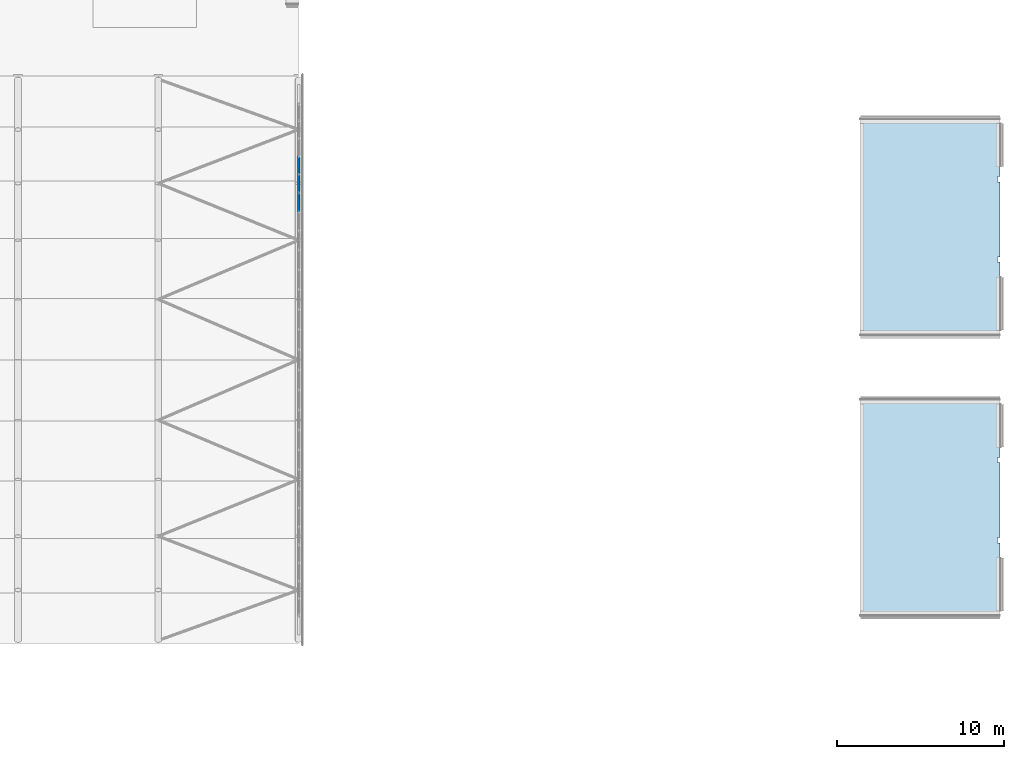
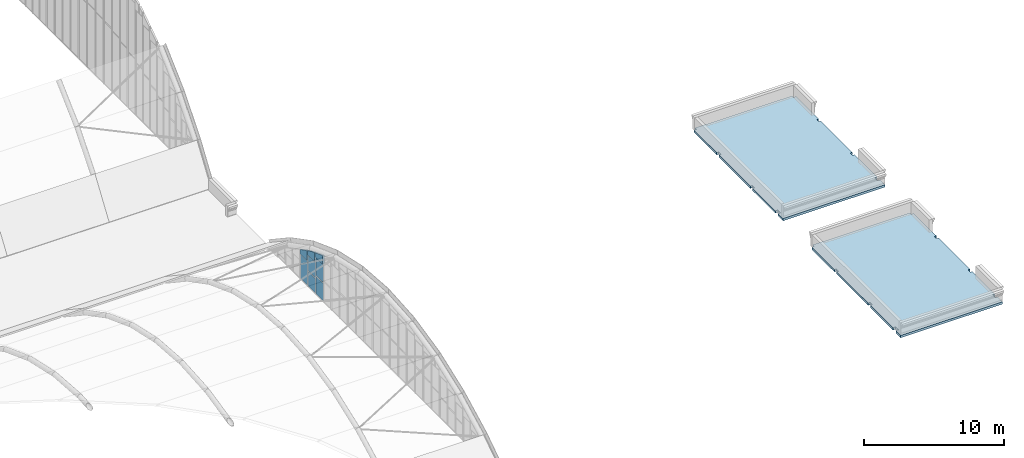
# One storey, part 53 of 77: 8 plates, 2 slabs, 1 element without a shape of its own.
"""IFC4 building model written with IfcOpenShell, lengths in metres."""

from ifc_helpers import new_model, si_unit, direction, frame, origin, origin_2d, place, context, subcontext, project, spatial, polyline, rectangle, outline, extrude, material, layer, layer_set, type_object, element, aggregate, save


model = new_model("IFC4")

# Units and contexts
model_context = context("Model", 3, precision=1e-05, world=origin(), true_north=direction((0.0, 1.0)))
body_context = subcontext(model_context, "Body", "Model", "MODEL_VIEW")
ifc_project = project(units=[si_unit("LENGTHUNIT", "METRE"), si_unit("AREAUNIT", "SQUARE_METRE"), si_unit("VOLUMEUNIT", "CUBIC_METRE"), si_unit("PLANEANGLEUNIT", "RADIAN"), si_unit("MASSUNIT", "GRAM", prefix="KILO")], contexts=[model_context])

# Site, building, storey
site_placement = place(None, origin())
site = spatial("IfcSite", under=ifc_project, at=site_placement, CompositionType="ELEMENT")
building_placement = place(site_placement, origin())
building = spatial("IfcBuilding", under=site, at=building_placement, Name="Catenary Quay Ferry Terminal", CompositionType="ELEMENT")
storey_placement = place(building_placement, frame((0.0, 0.0, 10.800048828125)))
storey = spatial("IfcBuildingStorey", under=building, at=storey_placement, Name="L02", CompositionType="ELEMENT", Elevation=10.800048828125)

# Slabs
ifc_material_1 = material(Name="Concrete C35/45", Category="concrete")
ifc_layer_1 = layer(ifc_material_1, 0.199951171875)
ifc_layer_set_1 = layer_set([ifc_layer_1], Name="Composite roof slab 200")
slab_type = type_object("IfcSlabType", Name="Composite roof slab 200", PredefinedType="ROOF", material=ifc_layer_set_1)
slab_1_placement = place(storey_placement, frame((0.0, 0.0, -0.199951171875)))
element("IfcSlab", 1, at=slab_1_placement, inside=storey, type_object=slab_type, Name="Berth head house roof slab BH1", PredefinedType="ROOF", context=body_context, shape_type="SweptSolid", body=[
    extrude(outline(polyline([(134.39990234375, 68.699951171875), (126.0, 68.699951171875), (126.0, 69.39501953125), (126.205078125, 69.39501953125), (126.205078125, 69.804931640625), (126.0, 69.804931640625), (126.0, 73.0400390625), (126.159912109375, 73.0400390625), (126.159912109375, 73.360107421875), (126.0, 73.360107421875), (126.0, 77.840087890625), (126.159912109375, 77.840087890625), (126.159912109375, 78.159912109375), (126.0, 78.159912109375), (126.0, 81.39501953125), (126.205078125, 81.39501953125), (126.205078125, 81.60009765625), (134.195068359375, 81.60009765625), (134.195068359375, 81.39501953125), (134.39990234375, 81.39501953125), (134.39990234375, 78.159912109375), (134.239990234375, 78.159912109375), (134.239990234375, 77.840087890625), (134.39990234375, 77.840087890625), (134.39990234375, 73.360107421875), (134.239990234375, 73.360107421875), (134.239990234375, 73.0400390625), (134.39990234375, 73.0400390625), (134.39990234375, 69.804931640625), (134.195068359375, 69.804931640625), (134.195068359375, 69.39501953125), (134.39990234375, 69.39501953125), (134.39990234375, 68.699951171875)])), origin(), (0.0, 0.0, 1.0), 0.199951171875),
])
slab_2_placement = place(storey_placement, frame((0.0, 0.0, -0.199951171875)))
element("IfcSlab", 2, at=slab_2_placement, inside=storey, type_object=slab_type, Name="Berth head house roof slab BH2", PredefinedType="ROOF", context=body_context, shape_type="SweptSolid", body=[
    extrude(outline(polyline([(134.39990234375, 85.5), (126.0, 85.5), (126.0, 86.195068359375), (126.205078125, 86.195068359375), (126.205078125, 86.60498046875), (126.0, 86.60498046875), (126.0, 89.840087890625), (126.159912109375, 89.840087890625), (126.159912109375, 90.159912109375), (126.0, 90.159912109375), (126.0, 94.639892578125), (126.159912109375, 94.639892578125), (126.159912109375, 94.9599609375), (126.0, 94.9599609375), (126.0, 98.195068359375), (126.205078125, 98.195068359375), (126.205078125, 98.39990234375), (134.195068359375, 98.39990234375), (134.195068359375, 98.195068359375), (134.39990234375, 98.195068359375), (134.39990234375, 94.9599609375), (134.239990234375, 94.9599609375), (134.239990234375, 94.639892578125), (134.39990234375, 94.639892578125), (134.39990234375, 90.159912109375), (134.239990234375, 90.159912109375), (134.239990234375, 89.840087890625), (134.39990234375, 89.840087890625), (134.39990234375, 86.60498046875), (134.195068359375, 86.60498046875), (134.195068359375, 86.195068359375), (134.39990234375, 86.195068359375), (134.39990234375, 85.5)])), origin(), (0.0, 0.0, 1.0), 0.199951171875),
])

# Curtain wall, plates
ifc_material_2 = material(Name="Aluminium and glass", Category="aluminium")
curtain_wall_type = type_object("IfcCurtainWallType", Name="CWA", PredefinedType="NOTDEFINED", material=ifc_material_2)
curtain_wall_placement = place(storey_placement, origin())
curtain_wall = element("IfcCurtainWall", 3, at=curtain_wall_placement, inside=storey, type_object=curtain_wall_type, Name="Arch arrivals hall curtain wall CW12", PredefinedType="NOTDEFINED")
ifc_material_3 = material(Name="Glass", Category="glass")
ifc_layer_2 = layer(ifc_material_3, 0.035888671875)
ifc_layer_set_2 = layer_set([ifc_layer_2], Name="PN4")
plate_type_1 = type_object("IfcPlateType", Name="PN4", PredefinedType="CURTAIN_PANEL", material=ifc_layer_set_2)
plate_1_placement = place(storey_placement, frame((92.39990234375, 93.427978515625, 0.099853515625), z_axis=(0.0, 0.0, 1.0), x_axis=(0.0, 1.0, 0.0)))
plate_1 = element("IfcPlate", 4, at=plate_1_placement, type_object=plate_type_1, Name="CW12 panel 22.1", PredefinedType="CURTAIN_PANEL", context=body_context, shape_type="SweptSolid", body=[
    extrude(rectangle(XDim=1.073974609375, YDim=0.035888671875, at=origin_2d()), origin(), (0.0, 0.0, 1.0), 1.51708984375),
])
plate_2_placement = place(storey_placement, frame((92.39990234375, 93.427978515625, 1.717041015625), z_axis=(0.0, 0.0, 1.0), x_axis=(0.0, 1.0, 0.0)))
plate_2 = element("IfcPlate", 5, at=plate_2_placement, type_object=plate_type_1, Name="CW12 panel 22.2", PredefinedType="CURTAIN_PANEL", context=body_context, shape_type="SweptSolid", body=[
    extrude(rectangle(XDim=1.073974609375, YDim=0.035888671875, at=origin_2d()), origin(), (0.0, 0.0, 1.0), 1.51708984375),
])
plate_3_placement = place(storey_placement, frame((92.39990234375, 94.546875, 0.10009765625), z_axis=(0.0, 0.0, 1.0), x_axis=(0.0, 1.0, 0.0)))
plate_3 = element("IfcPlate", 6, at=plate_3_placement, type_object=plate_type_1, Name="CW12 panel 23.1", PredefinedType="CURTAIN_PANEL", context=body_context, shape_type="SweptSolid", body=[
    extrude(rectangle(XDim=1.043701171875, YDim=0.035888671875, at=origin_2d()), origin(), (0.0, 0.0, 1.0), 1.272705078125),
])
plate_4_placement = place(storey_placement, frame((92.39990234375, 94.546875, 1.47265625), z_axis=(0.0, 0.0, 1.0), x_axis=(0.0, 1.0, 0.0)))
plate_4 = element("IfcPlate", 7, at=plate_4_placement, type_object=plate_type_1, Name="CW12 panel 23.2", PredefinedType="CURTAIN_PANEL", context=body_context, shape_type="SweptSolid", body=[
    extrude(rectangle(XDim=1.043701171875, YDim=0.035888671875, at=origin_2d()), origin(), (0.0, 0.0, 1.0), 1.272705078125),
])
plate_5_placement = place(storey_placement, frame((92.39990234375, 95.63525390625, 0.10009765625), z_axis=(0.0, 0.0, 1.0), x_axis=(0.0, 1.0, 0.0)))
plate_5 = element("IfcPlate", 8, at=plate_5_placement, type_object=plate_type_1, Name="CW12 panel 24.1", PredefinedType="CURTAIN_PANEL", context=body_context, shape_type="SweptSolid", body=[
    extrude(rectangle(XDim=1.013427734375, YDim=0.035888671875, at=origin_2d()), origin(), (0.0, 0.0, 1.0), 2.08837890625),
])
ifc_material_4 = material(Name="Ceramic tile facing on insulated backing")
ifc_layer_3 = layer(ifc_material_4, 0.14990234375)
ifc_layer_set_3 = layer_set([ifc_layer_3], Name="PN7")
plate_type_2 = type_object("IfcPlateType", Name="PN7", PredefinedType="CURTAIN_PANEL", material=ifc_layer_set_3)
plate_6_placement = place(storey_placement, frame((92.39990234375, 92.89111328125, 3.334228515625), z_axis=(0.0, 0.0, 1.0), x_axis=(0.0, 1.0, 0.0)))
plate_6 = element("IfcPlate", 9, at=plate_6_placement, type_object=plate_type_2, Name="CW12 spandrel panel 25", PredefinedType="CURTAIN_PANEL", context=body_context, shape_type="SweptSolid", body=[
    extrude(outline(polyline([(0.0, 0.0), (1.073974609375, 0.0), (1.073974609375, 0.35107421875), (0.0, 0.7490234375), (0.0, 0.0)])), frame((0.0, 0.074951171875, 0.0), z_axis=(0.0, -1.0, 0.0), x_axis=(1.0, 0.0, 0.0)), (0.0, 0.0, 1.0), 0.14990234375),
])
plate_7_placement = place(storey_placement, frame((92.39990234375, 94.02490234375, 2.845458984375), z_axis=(0.0, 0.0, 1.0), x_axis=(0.0, 1.0, 0.0)))
plate_7 = element("IfcPlate", 10, at=plate_7_placement, type_object=plate_type_2, Name="CW12 spandrel panel 26", PredefinedType="CURTAIN_PANEL", context=body_context, shape_type="SweptSolid", body=[
    extrude(outline(polyline([(0.0, 0.0), (1.043701171875, 0.0), (1.043701171875, 0.35546875), (0.0, 0.817626953125), (0.0, 0.0)])), frame((0.0, 0.074951171875, 0.0), z_axis=(0.0, -1.0, 0.0), x_axis=(1.0, 0.0, 0.0)), (0.0, 0.0, 1.0), 0.14990234375),
])
plate_8_placement = place(storey_placement, frame((92.39990234375, 95.128662109375, 2.288330078125), z_axis=(0.0, 0.0, 1.0), x_axis=(0.0, 1.0, 0.0)))
plate_8 = element("IfcPlate", 11, at=plate_8_placement, type_object=plate_type_2, Name="CW12 spandrel panel 27", PredefinedType="CURTAIN_PANEL", context=body_context, shape_type="SweptSolid", body=[
    extrude(outline(polyline([(0.0, 0.0), (1.013427734375, 0.0), (1.013427734375, 0.355712890625), (0.0, 0.881591796875), (0.0, 0.0)])), frame((0.0, 0.074951171875, 0.0), z_axis=(0.0, -1.0, 0.0), x_axis=(1.0, 0.0, 0.0)), (0.0, 0.0, 1.0), 0.14990234375),
])
aggregate(curtain_wall, [plate_1, plate_2, plate_6, plate_3, plate_4, plate_7, plate_5, plate_8])

save(model, "model.ifc")
